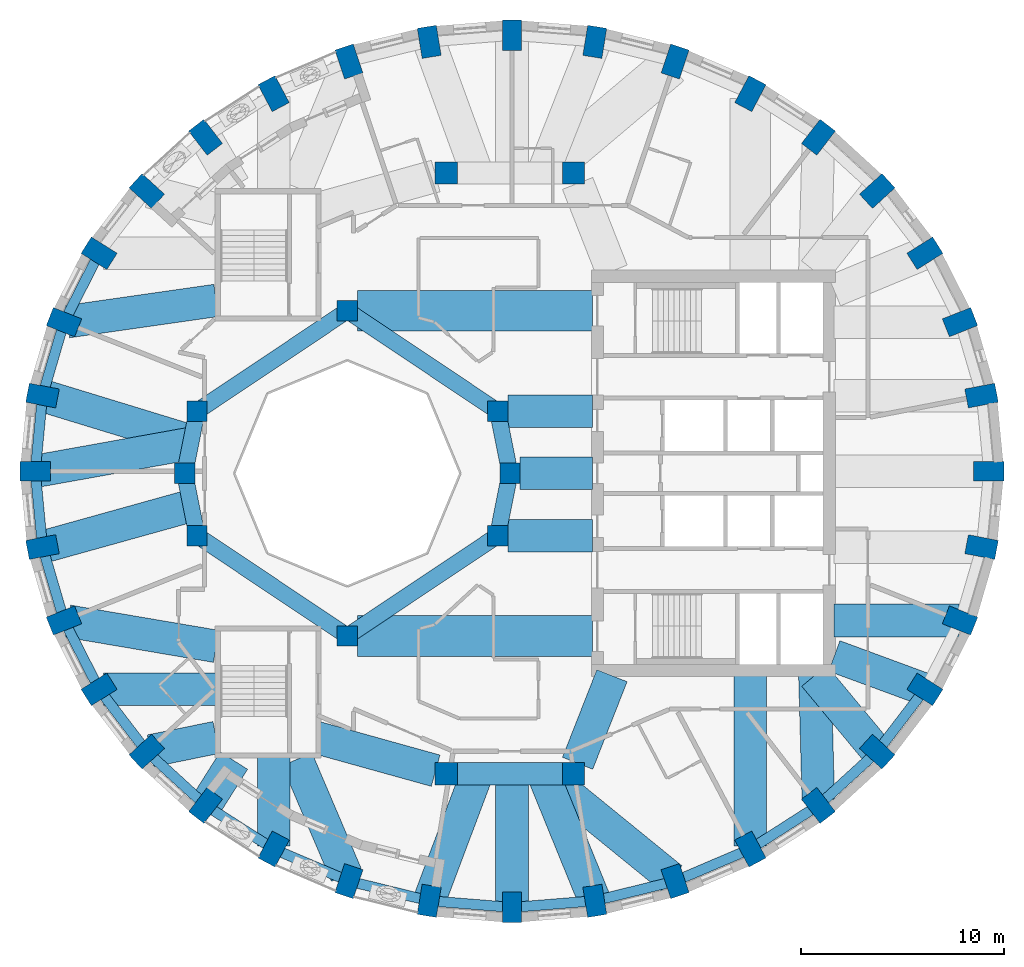
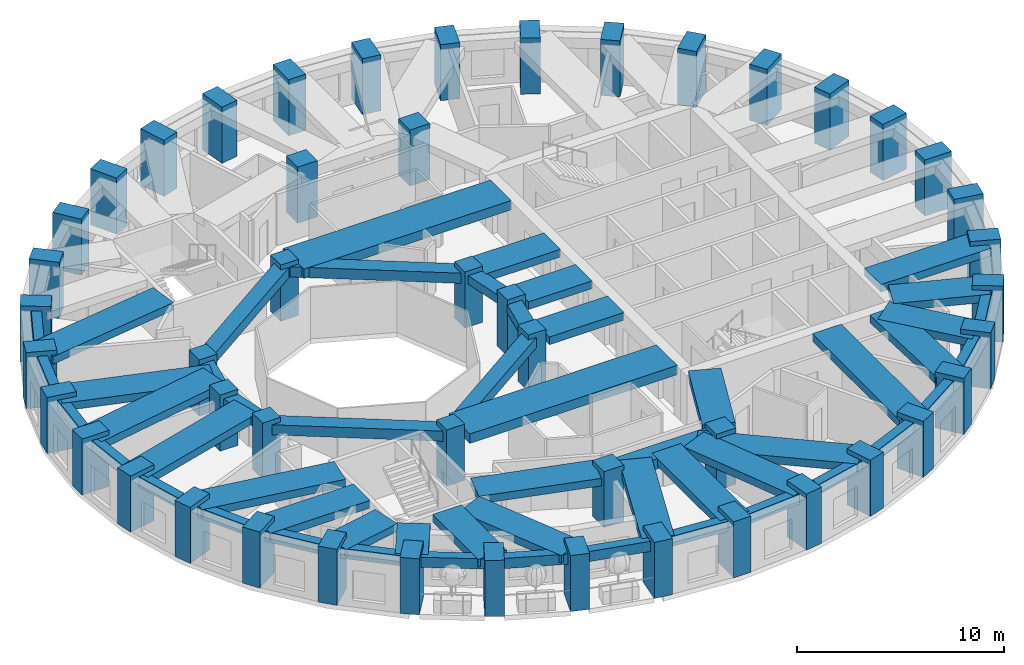
# One storey, part 1 of 12: 53 beams, 48 columns.
"""IFC4 building model written with IfcOpenShell, lengths in metres."""

import ifcopenshell
import ifcopenshell.guid

model = None  # the IFC model being written
_history = None  # IfcOwnerHistory: only IFC2X3 demands one
_inside = {}  # id of a spatial element -> (the spatial element, [elements in it])
_under = {}  # id of a project, library or spatial element -> (it, [spatial elements below it])
_declared = {}  # id of a project -> (the project, [libraries it declares])
_typed = {}  # id of a type object -> (the type object, [elements of that type])
_made_of = {}  # id of a material, layer set ... -> (it, [elements and type objects made of it])


def new_model(schema):
    """Start an empty IFC model of exactly this schema.

    Asked for "IFC4X3", IfcOpenShell would pick the latest addendum, in which some entities
    have other attributes; the version numbers below select the first issue.
    IFC2X3 requires an IfcOwnerHistory on every rooted entity: one is made here for all.
    """
    global model, _history
    if schema == "IFC4X3":
        model = ifcopenshell.file(schema_version=(4, 3, 0, 0))
    else:
        model = ifcopenshell.file(schema=schema)
    _inside.clear()
    _under.clear()
    _declared.clear()
    _typed.clear()
    _made_of.clear()
    _history = None
    if model.schema == "IFC2X3":
        org = make("IfcOrganization", Name="unknown")
        user = make(
            "IfcPersonAndOrganization",
            ThePerson=make("IfcPerson", FamilyName="unknown"),
            TheOrganization=org,
        )
        app = make(
            "IfcApplication",
            ApplicationDeveloper=org,
            Version="unknown",
            ApplicationFullName="unknown",
            ApplicationIdentifier="unknown",
        )
        _history = make(
            "IfcOwnerHistory",
            OwningUser=user,
            OwningApplication=app,
            ChangeAction="ADDED",
            CreationDate=0,
        )
    return model


def make(cls, **values):
    """One entity of the class cls with the attributes given. An attribute that is None is left unset."""
    return model.create_entity(
        cls, **{name: value for name, value in values.items() if value is not None}
    )


def rooted(cls, **values):
    """An entity with a GlobalId (a new one), such as an element, a storey or a relation."""
    return make(cls, GlobalId=ifcopenshell.guid.new(), OwnerHistory=_history, **values)


def si_unit(unit_type, name, prefix=None):
    """IfcSIUnit, for example si_unit("LENGTHUNIT", "METRE", prefix="MILLI")."""
    return make("IfcSIUnit", UnitType=unit_type, Prefix=prefix, Name=name)


def assignment(units):
    """IfcUnitAssignment: the units of a project."""
    return None if units is None else make("IfcUnitAssignment", Units=units)


def point(xyz):
    """IfcCartesianPoint."""
    return None if xyz is None else make("IfcCartesianPoint", Coordinates=xyz)


def direction(xyz):
    """IfcDirection."""
    return None if xyz is None else make("IfcDirection", DirectionRatios=xyz)


def frame(location, z_axis=None, x_axis=None):
    """IfcAxis2Placement3D, a coordinate frame: its origin and axes. An axis left out is left unset."""
    return make(
        "IfcAxis2Placement3D",
        Location=point(location),
        Axis=direction(z_axis),
        RefDirection=direction(x_axis),
    )


def frame_2d(location, x_axis=None):
    """IfcAxis2Placement2D, a coordinate frame in the plane: its origin and x axis."""
    return make(
        "IfcAxis2Placement2D", Location=point(location), RefDirection=direction(x_axis)
    )


def origin():
    """The frame at (0, 0, 0) with its axes left unset."""
    return frame((0.0, 0.0, 0.0))


def origin_2d():
    """The frame at (0, 0) in the plane with its x axis left unset."""
    return frame_2d((0.0, 0.0))


def place(relative_to, where):
    """IfcLocalPlacement: puts the frame where relative to a parent placement (None: the world)."""
    return make(
        "IfcLocalPlacement", PlacementRelTo=relative_to, RelativePlacement=where
    )


def context(
    kind, dimensions, precision=None, world=None, true_north=None, identifier=None
):
    """IfcGeometricRepresentationContext, for example the 3D "Model" context."""
    return make(
        "IfcGeometricRepresentationContext",
        ContextIdentifier=identifier,
        ContextType=kind,
        CoordinateSpaceDimension=dimensions,
        Precision=precision,
        WorldCoordinateSystem=world,
        TrueNorth=true_north,
    )


def subcontext(parent, identifier, kind, view, scale=None):
    """IfcGeometricRepresentationSubContext, for example "Body" below "Model"."""
    return make(
        "IfcGeometricRepresentationSubContext",
        ContextIdentifier=identifier,
        ContextType=kind,
        ParentContext=parent,
        TargetScale=scale,
        TargetView=view,
    )


def project(units=None, contexts=None):
    """IfcProject with its units and contexts."""
    return rooted(
        "IfcProject",
        Name="project",
        RepresentationContexts=contexts,
        UnitsInContext=assignment(units),
    )


def spatial(cls, under=None, at=None, **own):
    """A site, building, storey or space (cls), placed at a placement, below another one or the project."""
    s = rooted(cls, ObjectPlacement=at, **own)
    if under is not None:
        _under.setdefault(under.id(), (under, []))[1].append(s)
    return s


def profile(cls, at=None, kind="AREA", **sizes):
    """A parametric profile (cls). Its sizes go by their IFC names, for example OverallWidth=200.0."""
    return make(cls, ProfileType=kind, Position=at, **sizes)


def rectangle(**sizes):
    """IfcRectangleProfileDef."""
    return profile("IfcRectangleProfileDef", **sizes)


def extrude(swept, where, along, depth):
    """IfcExtrudedAreaSolid: the profile swept, set in the frame where, extruded along a direction by depth."""
    return make(
        "IfcExtrudedAreaSolid",
        SweptArea=swept,
        Position=where,
        ExtrudedDirection=direction(along),
        Depth=depth,
    )


def shape(context_of_items, identifier, shape_type, items):
    """IfcShapeRepresentation: the items that make up one representation, for example the "Body"."""
    return make(
        "IfcShapeRepresentation",
        ContextOfItems=context_of_items,
        RepresentationIdentifier=identifier,
        RepresentationType=shape_type,
        Items=items,
    )


def material(Name=None, Category=None):
    """IfcMaterial."""
    return make("IfcMaterial", Name=Name, Category=Category)


def material_profile(
    of_material, cross_section, Name=None, Category=None, Priority=None
):
    """IfcMaterialProfile: a cross section and its material."""
    return make(
        "IfcMaterialProfile",
        Name=Name,
        Material=of_material,
        Profile=cross_section,
        Priority=Priority,
        Category=Category,
    )


def profile_set(profiles, Name=None, composite=None):
    """IfcMaterialProfileSet."""
    return make(
        "IfcMaterialProfileSet",
        Name=Name,
        MaterialProfiles=profiles,
        CompositeProfile=composite,
    )


def made_of(thing, what):
    """Note that an element or type object is made of a material, layer set ...; save() writes the relation."""
    if what is not None:
        _made_of.setdefault(what.id(), (what, []))[1].append(thing)
    return thing


def type_object(cls, material=None, **own):
    """A type object (cls), such as IfcWallType, which elements share."""
    return made_of(rooted(cls, **own), material)


def element(
    cls,
    number,
    at=None,
    inside=None,
    cuts=None,
    type_object=None,
    material=None,
    context=None,
    identifier="Body",
    shape_type=None,
    held_by="IfcProductDefinitionShape",
    body=None,
    shapes=None,
    **own,
):
    """One element of the class cls, such as IfcWall. Its Tag is "e" and its number.

    at: its placement. inside: the storey or other place that contains it. cuts: it is an
    opening in that element (IfcRelVoidsElement). A single representation is given by context,
    identifier, shape_type and body (its items); several are given by shapes. held_by: the class
    of the entity that holds the representations. save() writes the other relations.
    """
    e = rooted(cls, Tag="e%d" % number, ObjectPlacement=at, **own)
    if body is not None:
        shapes = [shape(context, identifier, shape_type, body)]
    if shapes is not None:
        e.Representation = make(held_by, Representations=shapes)
    if inside is not None:
        _inside.setdefault(inside.id(), (inside, []))[1].append(e)
    if cuts is not None:
        rooted(
            "IfcRelVoidsElement", RelatingBuildingElement=cuts, RelatedOpeningElement=e
        )
    if type_object is not None:
        _typed.setdefault(type_object.id(), (type_object, []))[1].append(e)
    return made_of(e, material)


def aggregate(whole, parts):
    """IfcRelAggregates: a whole, such as a stair, and the parts it consists of."""
    return rooted("IfcRelAggregates", RelatingObject=whole, RelatedObjects=parts)


def save(model, path):
    """Write the relations noted so far, then the file.

    IfcRelAggregates (storeys below a building ...), IfcRelContainedInSpatialStructure (elements
    in a storey), IfcRelDefinesByType, IfcRelAssociatesMaterial and IfcRelDeclares: one each for
    every whole, place, type object, material and project.
    """
    for whole, parts in _under.values():
        aggregate(whole, parts)
    for where, things in _inside.values():
        rooted(
            "IfcRelContainedInSpatialStructure",
            RelatedElements=things,
            RelatingStructure=where,
        )
    for kind, things in _typed.values():
        rooted("IfcRelDefinesByType", RelatedObjects=things, RelatingType=kind)
    for what, things in _made_of.values():
        rooted("IfcRelAssociatesMaterial", RelatedObjects=things, RelatingMaterial=what)
    for by, libraries in _declared.values():
        rooted("IfcRelDeclares", RelatingContext=by, RelatedDefinitions=libraries)
    model.write(path)


model = new_model("IFC4")

# Units and contexts
model_context = context("Model", 3, precision=1e-05, world=origin(), true_north=direction((0.0, 1.0)))
body_context = subcontext(model_context, "Body", "Model", "MODEL_VIEW")
ifc_project = project(units=[si_unit("LENGTHUNIT", "METRE"), si_unit("AREAUNIT", "SQUARE_METRE"), si_unit("VOLUMEUNIT", "CUBIC_METRE"), si_unit("PLANEANGLEUNIT", "RADIAN"), si_unit("MASSUNIT", "GRAM", prefix="KILO")], contexts=[model_context])

# Site, building, storey
site_placement = place(None, origin())
site = spatial("IfcSite", under=ifc_project, at=site_placement, CompositionType="ELEMENT")
building_placement = place(site_placement, origin())
building = spatial("IfcBuilding", under=site, at=building_placement, Name="Taillehof Tower", CompositionType="ELEMENT")
storey_placement = place(building_placement, frame((0.0, 0.0, 168.199951171875)))
storey = spatial("IfcBuildingStorey", under=building, at=storey_placement, Name="L47", CompositionType="ELEMENT", Elevation=168.199951171875)

# Columns
ifc_material_1 = material(Name="Concrete C50/60", Category="concrete")
ifc_material_profile_1 = material_profile(ifc_material_1, rectangle(XDim=1.0, YDim=1.0, at=origin_2d()), Name="RC 1000x1000")
ifc_profile_set_1 = profile_set([ifc_material_profile_1], Name="Concrete C50/60")
column_type_1 = type_object("IfcColumnType", Name="Atrium ring column C50/60 1000x1000", PredefinedType="COLUMN", material=ifc_profile_set_1)
for number, where, z_axis, x_axis, name in (
    (1, (0.0, 0.0, 0.0), (0.0, 0.0, 1.0), (1.0, 0.0, 0.0), "Column AC01"),
    (2, (-0.60888671875, 3.0615234375, 0.0), (0.0, 0.0, 1.0), (1.0, 0.0, 0.0), "Column AC02"),
    (3, (-8.0, 8.0, 0.0), (0.0, 0.0, 1.0), (1.0, 0.0, 0.0), "Column AC05"),
    (4, (-15.39111328125, 3.0615234375, 0.0), (0.0, 0.0, 1.0), (1.0, 0.0, 0.0), "Column AC08"),
    (5, (-16.0, 0.0, 0.0), (0.0, 0.0, 1.0), (1.0, 0.0, 0.0), "Column AC09"),
    (6, (-15.39111328125, -3.0615234375, 0.0), (0.0, 0.0, 1.0), (1.0, 0.0, 0.0), "Column AC10"),
    (7, (-8.0, -8.0, 0.0), (0.0, 0.0, 1.0), (1.0, 0.0, 0.0), "Column AC13"),
    (8, (-0.60888671875, -3.0615234375, 0.0), (0.0, 0.0, 1.0), (1.0, 0.0, 0.0), "Column AC16"),
):
    element("IfcColumn", number, at=place(storey_placement, frame(where, z_axis=z_axis, x_axis=x_axis)), inside=storey, type_object=column_type_1, Name=name, PredefinedType="COLUMN", context=body_context, shape_type="SweptSolid", body=[
        extrude(rectangle(XDim=1.0, YDim=1.0, at=origin_2d()), origin(), (0.0, 0.0, 1.0), 3.300048828125),
    ])
ifc_material_2 = material(Name="Concrete C50/60", Category="concrete")
ifc_material_profile_2 = material_profile(ifc_material_2, rectangle(XDim=1.10009765625, YDim=1.10009765625, at=origin_2d()), Name="RC 1100x1100")
ifc_profile_set_2 = profile_set([ifc_material_profile_2], Name="Concrete C50/60")
column_type_2 = type_object("IfcColumnType", Name="Mid-ring column C50/60 1100x1100", PredefinedType="COLUMN", material=ifc_profile_set_2)
for number, where, z_axis, x_axis, name in (
    (9, (3.125732421875, 14.772216796875, 0.0), (0.0, 0.0, 1.0), (1.0, 0.0, 0.0), "Column MC05"),
    (10, (-3.125732421875, 14.772216796875, 0.0), (0.0, 0.0, 1.0), (1.0, 0.0, 0.0), "Column MC06"),
    (11, (-3.125732421875, -14.772216796875, 0.0), (0.0, 0.0, 1.0), (1.0, 0.0, 0.0), "Column MC14"),
    (12, (3.125732421875, -14.772216796875, 0.0), (0.0, 0.0, 1.0), (1.0, 0.0, 0.0), "Column MC15"),
):
    element("IfcColumn", number, at=place(storey_placement, frame(where, z_axis=z_axis, x_axis=x_axis)), inside=storey, type_object=column_type_2, Name=name, PredefinedType="COLUMN", context=body_context, shape_type="SweptSolid", body=[
        extrude(rectangle(XDim=1.10009765625, YDim=1.10009765625, at=origin_2d()), origin(), (0.0, 0.0, 1.0), 3.300048828125),
    ])
ifc_material_3 = material(Name="Concrete C60/75", Category="concrete")
ifc_material_profile_3 = material_profile(ifc_material_3, rectangle(XDim=1.5, YDim=0.949951171875, at=origin_2d()), Name="RC 1500x950")
ifc_profile_set_3 = profile_set([ifc_material_profile_3], Name="Concrete C60/75")
column_type_3 = type_object("IfcColumnType", Name="Ring column C60/75 1500x950", PredefinedType="COLUMN", material=ifc_profile_set_3)
for number, where, z_axis, x_axis, name in (
    (13, (23.550048828125, 0.10009765625, 0.0), (0.0, 0.0, 1.0), (1.0, 0.0, 0.0), "Ring column RC01"),
    (14, (23.19384765625, 3.82470703125, 0.0), (0.0, 0.0, 1.0), (0.98202380309, 0.188757119508, 0.0), "Ring column RC02"),
    (15, (22.1357421875, 7.436279296875, 0.0), (0.0, 0.0, 1.0), (0.929511471762, 0.368793199317, 0.0), "Ring column RC03"),
    (16, (20.408203125, 10.824951171875, 0.0), (0.0, 0.0, 1.0), (0.846334224225, 0.532652213837, 0.0), "Ring column RC04"),
    (17, (18.063720703125, 13.8876953125, 0.0), (0.0, 0.0, 1.0), (0.7378786352, 0.674933418727, 0.0), "Ring column RC05"),
    (18, (15.17333984375, 16.53173828125, 0.0), (0.0, 0.0, 1.0), (0.609970500644, 0.792424121506, 0.0), "Ring column RC06"),
    (19, (11.824951171875, 18.67626953125, 0.0), (0.0, 0.0, 1.0), (0.468042101717, 0.883706167807, 0.0), "Ring column RC07"),
    (20, (8.120361328125, 20.25634765625, 0.0), (0.0, 0.0, 1.0), (0.316702950283, 0.948524771043, 0.0), "Ring column RC08"),
    (21, (4.172119140625, 21.22412109375, 0.0), (0.0, 0.0, 1.0), (0.159679090777, 0.987168976401, 0.0), "Ring column RC09"),
    (22, (0.10009765625, 21.550048828125, 0.0), (0.0, 0.0, 1.0), (0.0, 1.0, 0.0), "Ring column RC10"),
    (23, (-3.97216796875, 21.22412109375, 0.0), (0.0, 0.0, 1.0), (-0.159679090777, 0.987168976401, 0.0), "Ring column RC11"),
    (24, (-7.92041015625, 20.25634765625, 0.0), (0.0, 0.0, 1.0), (-0.316702950283, 0.948524771043, 0.0), "Ring column RC12"),
    (25, (-11.625, 18.67626953125, 0.0), (0.0, 0.0, 1.0), (-0.468042101717, 0.883706167807, 0.0), "Ring column RC13"),
    (26, (-14.973388671875, 16.53173828125, 0.0), (0.0, 0.0, 1.0), (-0.609970500644, 0.792424121506, 0.0), "Ring column RC14"),
    (27, (-17.86376953125, 13.8876953125, 0.0), (0.0, 0.0, 1.0), (-0.7378786352, 0.674933418727, 0.0), "Ring column RC15"),
    (28, (-20.208251953125, 10.824951171875, 0.0), (0.0, 0.0, 1.0), (-0.846334224225, 0.532652213837, 0.0), "Ring column RC16"),
    (29, (-21.935791015625, 7.436279296875, 0.0), (0.0, 0.0, 1.0), (-0.929511471762, 0.368793199317, 0.0), "Ring column RC17"),
    (30, (-22.99365234375, 3.82470703125, 0.0), (0.0, 0.0, 1.0), (-0.98202380309, 0.188757119508, 0.0), "Ring column RC18"),
    (31, (-23.35009765625, 0.10009765625, 0.0), (0.0, 0.0, 1.0), (-1.0, 0.0, 0.0), "Ring column RC19"),
    (32, (-22.99365234375, -3.624755859375, 0.0), (0.0, 0.0, 1.0), (-0.98202380309, -0.188757119508, 0.0), "Ring column RC20"),
    (33, (-21.935791015625, -7.236328125, 0.0), (0.0, 0.0, 1.0), (-0.929511471762, -0.368793199317, 0.0), "Ring column RC21"),
    (34, (-20.208251953125, -10.625, 0.0), (0.0, 0.0, 1.0), (-0.846334224225, -0.532652213837, 0.0), "Ring column RC22"),
    (35, (-17.86376953125, -13.687744140625, 0.0), (0.0, 0.0, 1.0), (-0.7378786352, -0.674933418727, 0.0), "Ring column RC23"),
    (36, (-14.973388671875, -16.33154296875, 0.0), (0.0, 0.0, 1.0), (-0.609970500644, -0.792424121506, 0.0), "Ring column RC24"),
    (37, (-11.625, -18.476318359375, 0.0), (0.0, 0.0, 1.0), (-0.468042101717, -0.883706167807, 0.0), "Ring column RC25"),
    (38, (-7.92041015625, -20.056396484375, 0.0), (0.0, 0.0, 1.0), (-0.316702950283, -0.948524771043, 0.0), "Ring column RC26"),
    (39, (-3.97216796875, -21.024169921875, 0.0), (0.0, 0.0, 1.0), (-0.159679090777, -0.987168976401, 0.0), "Ring column RC27"),
    (40, (0.10009765625, -21.35009765625, 0.0), (0.0, 0.0, 1.0), (0.0, -1.0, 0.0), "Ring column RC28"),
    (41, (4.172119140625, -21.024169921875, 0.0), (0.0, 0.0, 1.0), (0.159679090777, -0.987168976401, 0.0), "Ring column RC29"),
    (42, (8.120361328125, -20.056396484375, 0.0), (0.0, 0.0, 1.0), (0.316702950283, -0.948524771043, 0.0), "Ring column RC30"),
    (43, (11.824951171875, -18.476318359375, 0.0), (0.0, 0.0, 1.0), (0.468042101717, -0.883706167807, 0.0), "Ring column RC31"),
    (44, (15.17333984375, -16.33154296875, 0.0), (0.0, 0.0, 1.0), (0.609970500644, -0.792424121506, 0.0), "Ring column RC32"),
    (45, (18.063720703125, -13.687744140625, 0.0), (0.0, 0.0, 1.0), (0.7378786352, -0.674933418727, 0.0), "Ring column RC33"),
    (46, (20.408203125, -10.625, 0.0), (0.0, 0.0, 1.0), (0.846334224225, -0.532652213837, 0.0), "Ring column RC34"),
    (47, (22.1357421875, -7.236328125, 0.0), (0.0, 0.0, 1.0), (0.929511471762, -0.368793199317, 0.0), "Ring column RC35"),
    (48, (23.19384765625, -3.624755859375, 0.0), (0.0, 0.0, 1.0), (0.98202380309, -0.188757119508, 0.0), "Ring column RC36"),
):
    element("IfcColumn", number, at=place(storey_placement, frame(where, z_axis=z_axis, x_axis=x_axis)), inside=storey, type_object=column_type_3, Name=name, PredefinedType="COLUMN", context=body_context, shape_type="SweptSolid", body=[
        extrude(rectangle(XDim=1.5, YDim=0.949951171875, at=origin_2d()), origin(), (0.0, 0.0, 1.0), 3.300048828125),
    ])

# Beams
ifc_material_4 = material(Name="Concrete C50/60", Category="concrete")
ifc_material_profile_4 = material_profile(ifc_material_4, rectangle(XDim=0.800048828125, YDim=0.5, at=origin_2d()), Name="RC 800x500")
ifc_profile_set_4 = profile_set([ifc_material_profile_4], Name="Concrete C50/60")
beam_type_1 = type_object("IfcBeamType", Name="Atrium ring beam C50/60 800x500", PredefinedType="BEAM", material=ifc_profile_set_4)
for number, where, z_axis, x_axis, name in (
    (49, (0.0, 0.0, 2.77001953125), (-0.195063155143, 0.980790683839, 0.0), (-0.980790683839, -0.195063155143, 0.0), "Atrium ring beam AB01"),
    (50, (-15.39111328125, 3.0615234375, 2.77001953125), (-0.195063155143, -0.980790683839, 0.0), (0.980790683839, -0.195063155143, 0.0), "Atrium ring beam AB04"),
    (51, (-16.0, 0.0, 2.77001953125), (0.195063155143, -0.980790683839, 0.0), (0.980790683839, 0.195063155143, 0.0), "Atrium ring beam AB05"),
    (52, (-0.60888671875, -3.0615234375, 2.77001953125), (0.195063155143, 0.980790683839, 0.0), (-0.980790683839, 0.195063155143, 0.0), "Atrium ring beam AB08"),
):
    element("IfcBeam", number, at=place(storey_placement, frame(where, z_axis=z_axis, x_axis=x_axis)), inside=storey, type_object=beam_type_1, Name=name, PredefinedType="BEAM", context=body_context, shape_type="SweptSolid", body=[
        extrude(rectangle(XDim=0.800048828125, YDim=0.5, at=origin_2d()), origin(), (0.0, 0.0, 1.0), 3.12158203125),
    ])
ifc_material_5 = material(Name="Concrete C50/60", Category="concrete")
ifc_material_profile_5 = material_profile(ifc_material_5, rectangle(XDim=0.800048828125, YDim=0.60009765625, at=origin_2d()), Name="RC 800x600")
ifc_profile_set_5 = profile_set([ifc_material_profile_5], Name="Concrete C50/60")
beam_type_2 = type_object("IfcBeamType", Name="Atrium ring beam C50/60 800x600", PredefinedType="BEAM", material=ifc_profile_set_5)
for number, where, z_axis, x_axis, name in (
    (53, (-0.60888671875, 3.0615234375, 2.719970703125), (-0.831475195687, 0.555561876804, 0.0), (-0.555561876804, -0.831475195687, 0.0), "Atrium ring beam AB02"),
    (54, (-8.0, 8.0, 2.719970703125), (-0.831475195687, -0.555561876804, 0.0), (0.555561876804, -0.831475195687, 0.0), "Atrium ring beam AB03"),
    (55, (-15.39111328125, -3.0615234375, 2.719970703125), (0.831475195687, -0.555561876804, 0.0), (0.555561876804, 0.831475195687, 0.0), "Atrium ring beam AB06"),
    (56, (-8.0, -8.0, 2.719970703125), (0.831475195687, 0.555561876804, 0.0), (-0.555561876804, 0.831475195687, 0.0), "Atrium ring beam AB07"),
):
    element("IfcBeam", number, at=place(storey_placement, frame(where, z_axis=z_axis, x_axis=x_axis)), inside=storey, type_object=beam_type_2, Name=name, PredefinedType="BEAM", context=body_context, shape_type="SweptSolid", body=[
        extrude(rectangle(XDim=0.800048828125, YDim=0.60009765625, at=origin_2d()), origin(), (0.0, 0.0, 1.0), 8.88916015625),
    ])
ifc_material_6 = material(Name="Concrete C50/60", Category="concrete")
ifc_material_profile_6 = material_profile(ifc_material_6, rectangle(XDim=1.10009765625, YDim=0.60009765625, at=origin_2d()), Name="RC 1100x600")
ifc_profile_set_6 = profile_set([ifc_material_profile_6], Name="Concrete C50/60")
beam_type_3 = type_object("IfcBeamType", Name="Mid-ring beam C50/60 1100x600", PredefinedType="BEAM", material=ifc_profile_set_6)
beam_1_placement = place(storey_placement, frame((-3.125732421875, -14.772216796875, 2.719970703125), z_axis=(1.0, 0.0, 0.0), x_axis=(0.0, 1.0, 0.0)))
element("IfcBeam", 57, at=beam_1_placement, inside=storey, type_object=beam_type_3, Name="Mid-ring beam MB02", PredefinedType="BEAM", context=body_context, shape_type="SweptSolid", body=[
    extrude(rectangle(XDim=1.10009765625, YDim=0.60009765625, at=origin_2d()), origin(), (0.0, 0.0, 1.0), 6.25146484375),
])
ifc_material_7 = material(Name="Concrete C50/60", Category="concrete")
ifc_material_profile_7 = material_profile(ifc_material_7, rectangle(XDim=1.60009765625, YDim=0.449951171875, at=origin_2d()), Name="RC 1600x450")
ifc_profile_set_7 = profile_set([ifc_material_profile_7], Name="Concrete C50/60")
beam_type_4 = type_object("IfcBeamType", Name="Radial band beam C50/60 1600x450", PredefinedType="BEAM", material=ifc_profile_set_7)
beam_2_placement = place(storey_placement, frame((-21.766845703125, 7.46044921875, 2.795166015625), z_axis=(0.989922388732, 0.141610961042, 0.0), x_axis=(-0.141610961042, 0.989922388732, 0.0)))
element("IfcBeam", 58, at=beam_2_placement, inside=storey, type_object=beam_type_4, Name="Radial band beam RB17", PredefinedType="BEAM", context=body_context, shape_type="SweptSolid", body=[
    extrude(rectangle(XDim=1.60009765625, YDim=0.449951171875, at=origin_2d()), origin(), (0.0, 0.0, 1.0), 7.390869140625),
])
beam_3_placement = place(storey_placement, frame((-22.99365234375, 3.82470703125, 2.795166015625), z_axis=(0.956324293447, -0.292307792854, 0.0), x_axis=(0.292307792854, 0.956324293447, 0.0)))
element("IfcBeam", 59, at=beam_3_placement, inside=storey, type_object=beam_type_4, Name="Radial band beam RB18", PredefinedType="BEAM", context=body_context, shape_type="SweptSolid", body=[
    extrude(rectangle(XDim=1.60009765625, YDim=0.449951171875, at=origin_2d()), origin(), (0.0, 0.0, 1.0), 7.643798828125),
])
beam_4_placement = place(storey_placement, frame((-23.35009765625, 0.10009765625, 2.795166015625), z_axis=(0.984286763882, 0.176577366745, 0.0), x_axis=(-0.176577366745, 0.984286763882, 0.0)))
element("IfcBeam", 60, at=beam_4_placement, inside=storey, type_object=beam_type_4, Name="Radial band beam RB19", PredefinedType="BEAM", context=body_context, shape_type="SweptSolid", body=[
    extrude(rectangle(XDim=1.60009765625, YDim=0.449951171875, at=origin_2d()), origin(), (0.0, 0.0, 1.0), 7.764892578125),
])
beam_5_placement = place(storey_placement, frame((-22.99365234375, -3.624755859375, 2.795166015625), z_axis=(0.96338688135, 0.268115118639, 0.0), x_axis=(-0.268115118639, 0.96338688135, 0.0)))
element("IfcBeam", 61, at=beam_5_placement, inside=storey, type_object=beam_type_4, Name="Radial band beam RB20", PredefinedType="BEAM", context=body_context, shape_type="SweptSolid", body=[
    extrude(rectangle(XDim=1.60009765625, YDim=0.449951171875, at=origin_2d()), origin(), (0.0, 0.0, 1.0), 7.587890625),
])
beam_6_placement = place(storey_placement, frame((-21.744140625, -7.268798828125, 2.795166015625), z_axis=(0.985864460395, -0.167544817079, 0.0), x_axis=(0.167544817079, 0.985864460395, 0.0)))
element("IfcBeam", 62, at=beam_6_placement, inside=storey, type_object=beam_type_4, Name="Radial band beam RB21", PredefinedType="BEAM", context=body_context, shape_type="SweptSolid", body=[
    extrude(rectangle(XDim=1.60009765625, YDim=0.449951171875, at=origin_2d()), origin(), (0.0, 0.0, 1.0), 7.39794921875),
])
beam_7_placement = place(storey_placement, frame((-19.9990234375, -10.625, 2.795166015625), z_axis=(1.0, 0.0, 0.0), x_axis=(0.0, 1.0, 0.0)))
element("IfcBeam", 63, at=beam_7_placement, inside=storey, type_object=beam_type_4, Name="Radial band beam RB22", PredefinedType="BEAM", context=body_context, shape_type="SweptSolid", body=[
    extrude(rectangle(XDim=1.60009765625, YDim=0.449951171875, at=origin_2d()), origin(), (0.0, 0.0, 1.0), 5.549072265625),
])
beam_8_placement = place(storey_placement, frame((-17.678955078125, -13.64990234375, 2.795166015625), z_axis=(0.979736748385, 0.200289550059, 0.0), x_axis=(-0.200289550059, 0.979736748385, 0.0)))
element("IfcBeam", 64, at=beam_8_placement, inside=storey, type_object=beam_type_4, Name="Radial band beam RB23", PredefinedType="BEAM", context=body_context, shape_type="SweptSolid", body=[
    extrude(rectangle(XDim=1.60009765625, YDim=0.449951171875, at=origin_2d()), origin(), (0.0, 0.0, 1.0), 3.294677734375),
])
beam_9_placement = place(storey_placement, frame((-14.973388671875, -16.33154296875, 2.795166015625), z_axis=(0.534207803896, 0.845353193794, 0.0), x_axis=(-0.845353193794, 0.534207803896, 0.0)))
element("IfcBeam", 65, at=beam_9_placement, inside=storey, type_object=beam_type_4, Name="Radial band beam RB24", PredefinedType="BEAM", context=body_context, shape_type="SweptSolid", body=[
    extrude(rectangle(XDim=1.60009765625, YDim=0.449951171875, at=origin_2d()), origin(), (0.0, 0.0, 1.0), 2.608154296875),
])
beam_10_placement = place(storey_placement, frame((-11.625, -18.33642578125, 2.795166015625), z_axis=(0.0, 1.0, 0.0), x_axis=(-1.0, 0.0, 0.0)))
element("IfcBeam", 66, at=beam_10_placement, inside=storey, type_object=beam_type_4, Name="Radial band beam RB25", PredefinedType="BEAM", context=body_context, shape_type="SweptSolid", body=[
    extrude(rectangle(XDim=1.60009765625, YDim=0.449951171875, at=origin_2d()), origin(), (0.0, 0.0, 1.0), 4.386474609375),
])
beam_11_placement = place(storey_placement, frame((-8.049072265625, -19.75390625, 2.795166015625), z_axis=(-0.391879389257, 0.9200166, 0.0), x_axis=(-0.9200166, -0.391879389257, 0.0)))
element("IfcBeam", 67, at=beam_11_placement, inside=storey, type_object=beam_type_4, Name="Radial band beam RB26", PredefinedType="BEAM", context=body_context, shape_type="SweptSolid", body=[
    extrude(rectangle(XDim=1.60009765625, YDim=0.449951171875, at=origin_2d()), origin(), (0.0, 0.0, 1.0), 6.18505859375),
])
beam_12_placement = place(storey_placement, frame((-3.97216796875, -21.024169921875, 2.795166015625), z_axis=(0.351379850477, 0.936232984186, 0.0), x_axis=(-0.936232984186, 0.351379850477, 0.0)))
element("IfcBeam", 68, at=beam_12_placement, inside=storey, type_object=beam_type_4, Name="Radial band beam RB27", PredefinedType="BEAM", context=body_context, shape_type="SweptSolid", body=[
    extrude(rectangle(XDim=1.60009765625, YDim=0.449951171875, at=origin_2d()), origin(), (0.0, 0.0, 1.0), 6.677734375),
])
beam_13_placement = place(storey_placement, frame((0.10009765625, -21.35009765625, 2.795166015625), z_axis=(0.0, 1.0, 0.0), x_axis=(-1.0, 0.0, 0.0)))
element("IfcBeam", 69, at=beam_13_placement, inside=storey, type_object=beam_type_4, Name="Radial band beam RB28", PredefinedType="BEAM", context=body_context, shape_type="SweptSolid", body=[
    extrude(rectangle(XDim=1.60009765625, YDim=0.449951171875, at=origin_2d()), origin(), (0.0, 0.0, 1.0), 6.577880859375),
])
beam_14_placement = place(storey_placement, frame((4.172119140625, -21.024169921875, 2.795166015625), z_axis=(-0.377207279938, 0.926128861424, 0.0), x_axis=(-0.926128861424, -0.377207279938, 0.0)))
element("IfcBeam", 70, at=beam_14_placement, inside=storey, type_object=beam_type_4, Name="Radial band beam RB29", PredefinedType="BEAM", context=body_context, shape_type="SweptSolid", body=[
    extrude(rectangle(XDim=1.60009765625, YDim=0.449951171875, at=origin_2d()), origin(), (0.0, 0.0, 1.0), 6.750732421875),
])
beam_15_placement = place(storey_placement, frame((7.95556640625, -19.92236328125, 2.795166015625), z_axis=(-0.775687012842, 0.631117784655, 0.0), x_axis=(-0.631117784655, -0.775687012842, 0.0)))
element("IfcBeam", 71, at=beam_15_placement, inside=storey, type_object=beam_type_4, Name="Radial band beam RB30", PredefinedType="BEAM", context=body_context, shape_type="SweptSolid", body=[
    extrude(rectangle(XDim=1.60009765625, YDim=0.449951171875, at=origin_2d()), origin(), (0.0, 0.0, 1.0), 8.048583984375),
])
beam_16_placement = place(storey_placement, frame((11.824951171875, -18.33642578125, 2.795166015625), z_axis=(0.0, 1.0, 0.0), x_axis=(-1.0, 0.0, 0.0)))
element("IfcBeam", 72, at=beam_16_placement, inside=storey, type_object=beam_type_4, Name="Radial band beam RB31", PredefinedType="BEAM", context=body_context, shape_type="SweptSolid", body=[
    extrude(rectangle(XDim=1.60009765625, YDim=0.449951171875, at=origin_2d()), origin(), (0.0, 0.0, 1.0), 8.386474609375),
])
beam_17_placement = place(storey_placement, frame((15.166015625, -16.060546875, 2.795166015625), z_axis=(-0.027397917621, 0.999624606595, 0.0), x_axis=(-0.999624606595, -0.027397917621, 0.0)))
element("IfcBeam", 73, at=beam_17_placement, inside=storey, type_object=beam_type_4, Name="Radial band beam RB32", PredefinedType="BEAM", context=body_context, shape_type="SweptSolid", body=[
    extrude(rectangle(XDim=1.60009765625, YDim=0.449951171875, at=origin_2d()), origin(), (0.0, 0.0, 1.0), 6.11279296875),
])
beam_18_placement = place(storey_placement, frame((18.063720703125, -13.687744140625, 2.795166015625), z_axis=(-0.639018777093, 0.769191135234, 0.0), x_axis=(-0.769191135234, -0.639018777093, 0.0)))
element("IfcBeam", 74, at=beam_18_placement, inside=storey, type_object=beam_type_4, Name="Radial band beam RB33", PredefinedType="BEAM", context=body_context, shape_type="SweptSolid", body=[
    extrude(rectangle(XDim=1.60009765625, YDim=0.449951171875, at=origin_2d()), origin(), (0.0, 0.0, 1.0), 4.844482421875),
])
beam_19_placement = place(storey_placement, frame((20.408203125, -10.625, 2.795166015625), z_axis=(-0.938275503033, 0.345888826661, 0.0), x_axis=(-0.345888826661, -0.938275503033, 0.0)))
element("IfcBeam", 75, at=beam_19_placement, inside=storey, type_object=beam_type_4, Name="Radial band beam RB34", PredefinedType="BEAM", context=body_context, shape_type="SweptSolid", body=[
    extrude(rectangle(XDim=1.60009765625, YDim=0.449951171875, at=origin_2d()), origin(), (0.0, 0.0, 1.0), 4.748046875),
])
beam_20_placement = place(storey_placement, frame((22.08642578125, -7.236328125, 2.795166015625), z_axis=(-1.0, 0.0, 0.0), x_axis=(0.0, -1.0, 0.0)))
element("IfcBeam", 76, at=beam_20_placement, inside=storey, type_object=beam_type_4, Name="Radial band beam RB35", PredefinedType="BEAM", context=body_context, shape_type="SweptSolid", body=[
    extrude(rectangle(XDim=1.60009765625, YDim=0.449951171875, at=origin_2d()), origin(), (0.0, 0.0, 1.0), 6.136474609375),
])
beam_21_placement = place(storey_placement, frame((0.5, 0.0, 2.795166015625), z_axis=(1.0, 0.0, 0.0), x_axis=(0.0, 1.0, 0.0)))
element("IfcBeam", 77, at=beam_21_placement, inside=storey, type_object=beam_type_4, Name="Inner band beam IB101", PredefinedType="BEAM", context=body_context, shape_type="SweptSolid", body=[
    extrude(rectangle(XDim=1.60009765625, YDim=0.449951171875, at=origin_2d()), origin(), (0.0, 0.0, 1.0), 3.550048828125),
])
for number, where, z_axis, x_axis, name in (
    (78, (-0.10888671875, 3.0615234375, 2.795166015625), (1.0, 0.0, 0.0), (0.0, 1.0, 0.0), "Inner band beam IB102"),
    (79, (-0.10888671875, -3.0615234375, 2.795166015625), (1.0, 0.0, 0.0), (0.0, 1.0, 0.0), "Inner band beam IB116"),
):
    element("IfcBeam", number, at=place(storey_placement, frame(where, z_axis=z_axis, x_axis=x_axis)), inside=storey, type_object=beam_type_4, Name=name, PredefinedType="BEAM", context=body_context, shape_type="SweptSolid", body=[
        extrude(rectangle(XDim=1.60009765625, YDim=0.449951171875, at=origin_2d()), origin(), (0.0, 0.0, 1.0), 4.158935546875),
    ])
beam_22_placement = place(storey_placement, frame((-3.655517578125, -14.624755859375, 2.795166015625), z_axis=(-0.963459369536, 0.267854518821, 0.0), x_axis=(-0.267854518821, -0.963459369536, 0.0)))
element("IfcBeam", 80, at=beam_22_placement, inside=storey, type_object=beam_type_4, Name="Inner band beam IB214", PredefinedType="BEAM", context=body_context, shape_type="SweptSolid", body=[
    extrude(rectangle(XDim=1.60009765625, YDim=0.449951171875, at=origin_2d()), origin(), (0.0, 0.0, 1.0), 6.096923828125),
])
beam_23_placement = place(storey_placement, frame((3.32666015625, -14.26025390625, 2.795166015625), z_axis=(0.365588707223, 0.930776502255, 0.0), x_axis=(-0.930776502255, 0.365588707223, 0.0)))
element("IfcBeam", 81, at=beam_23_placement, inside=storey, type_object=beam_type_4, Name="Inner band beam IB215", PredefinedType="BEAM", context=body_context, shape_type="SweptSolid", body=[
    extrude(rectangle(XDim=1.60009765625, YDim=0.449951171875, at=origin_2d()), origin(), (0.0, 0.0, 1.0), 4.627197265625),
])
ifc_material_8 = material(Name="Concrete C50/60", Category="concrete")
ifc_material_profile_8 = material_profile(ifc_material_8, rectangle(XDim=2.0, YDim=0.550048828125, at=origin_2d()), Name="RC 2000x550")
ifc_profile_set_8 = profile_set([ifc_material_profile_8], Name="Concrete C50/60")
beam_type_5 = type_object("IfcBeamType", Name="Radial band beam C50/60 2000x550", PredefinedType="BEAM", material=ifc_profile_set_8)
for number, where, z_axis, x_axis, name in (
    (82, (-7.5, 8.0, 2.7451171875), (1.0, 0.0, 0.0), (0.0, 1.0, 0.0), "Inner band beam IB105"),
    (83, (-7.5, -8.0, 2.7451171875), (1.0, 0.0, 0.0), (0.0, 1.0, 0.0), "Inner band beam IB113"),
):
    element("IfcBeam", number, at=place(storey_placement, frame(where, z_axis=z_axis, x_axis=x_axis)), inside=storey, type_object=beam_type_5, Name=name, PredefinedType="BEAM", context=body_context, shape_type="SweptSolid", body=[
        extrude(rectangle(XDim=2.0, YDim=0.550048828125, at=origin_2d()), origin(), (0.0, 0.0, 1.0), 11.550048828125),
    ])
ifc_material_9 = material(Name="Concrete C50/60", Category="concrete")
ifc_material_profile_9 = material_profile(ifc_material_9, rectangle(XDim=0.5, YDim=0.60009765625, at=origin_2d()), Name="RC 500x600")
ifc_profile_set_9 = profile_set([ifc_material_profile_9], Name="Concrete C50/60")
beam_type_6 = type_object("IfcBeamType", Name="Spandrel beam C50/60 500x600", PredefinedType="SPANDREL", material=ifc_profile_set_9)
beam_24_placement = place(storey_placement, frame((-20.208251953125, 10.824951171875, 2.719970703125), z_axis=(-0.454183451696, -0.890908183937, 0.0), x_axis=(0.890908183937, -0.454183451696, 0.0)))
element("IfcBeam", 84, at=beam_24_placement, inside=storey, type_object=beam_type_6, Name="Spandrel beam SB16", PredefinedType="SPANDREL", context=body_context, shape_type="SweptSolid", body=[
    extrude(rectangle(XDim=0.5, YDim=0.60009765625, at=origin_2d()), origin(), (0.0, 0.0, 1.0), 3.8037109375),
])
beam_25_placement = place(storey_placement, frame((-21.935791015625, 7.436279296875, 2.719970703125), z_axis=(-0.281098416478, -0.959678946447, 0.0), x_axis=(0.959678946447, -0.281098416478, 0.0)))
element("IfcBeam", 85, at=beam_25_placement, inside=storey, type_object=beam_type_6, Name="Spandrel beam SB17", PredefinedType="SPANDREL", context=body_context, shape_type="SweptSolid", body=[
    extrude(rectangle(XDim=0.5, YDim=0.60009765625, at=origin_2d()), origin(), (0.0, 0.0, 1.0), 3.763427734375),
])
beam_26_placement = place(storey_placement, frame((-22.99365234375, 3.82470703125, 2.719970703125), z_axis=(-0.095264805358, -0.995451966124, 0.0), x_axis=(0.995451966124, -0.095264805358, 0.0)))
element("IfcBeam", 86, at=beam_26_placement, inside=storey, type_object=beam_type_6, Name="Spandrel beam SB18", PredefinedType="SPANDREL", context=body_context, shape_type="SweptSolid", body=[
    extrude(rectangle(XDim=0.5, YDim=0.60009765625, at=origin_2d()), origin(), (0.0, 0.0, 1.0), 3.74169921875),
])
beam_27_placement = place(storey_placement, frame((-23.35009765625, 0.10009765625, 2.719970703125), z_axis=(0.095258618013, -0.995452558234, 0.0), x_axis=(0.995452558234, 0.095258618013, 0.0)))
element("IfcBeam", 87, at=beam_27_placement, inside=storey, type_object=beam_type_6, Name="Spandrel beam SB19", PredefinedType="SPANDREL", context=body_context, shape_type="SweptSolid", body=[
    extrude(rectangle(XDim=0.5, YDim=0.60009765625, at=origin_2d()), origin(), (0.0, 0.0, 1.0), 3.741943359375),
])
beam_28_placement = place(storey_placement, frame((-22.99365234375, -3.624755859375, 2.719970703125), z_axis=(0.281098416478, -0.959678946447, 0.0), x_axis=(0.959678946447, 0.281098416478, 0.0)))
element("IfcBeam", 88, at=beam_28_placement, inside=storey, type_object=beam_type_6, Name="Spandrel beam SB20", PredefinedType="SPANDREL", context=body_context, shape_type="SweptSolid", body=[
    extrude(rectangle(XDim=0.5, YDim=0.60009765625, at=origin_2d()), origin(), (0.0, 0.0, 1.0), 3.763427734375),
])
beam_29_placement = place(storey_placement, frame((-21.935791015625, -7.236328125, 2.719970703125), z_axis=(0.454183451696, -0.890908183937, 0.0), x_axis=(0.890908183937, 0.454183451696, 0.0)))
element("IfcBeam", 89, at=beam_29_placement, inside=storey, type_object=beam_type_6, Name="Spandrel beam SB21", PredefinedType="SPANDREL", context=body_context, shape_type="SweptSolid", body=[
    extrude(rectangle(XDim=0.5, YDim=0.60009765625, at=origin_2d()), origin(), (0.0, 0.0, 1.0), 3.8037109375),
])
beam_30_placement = place(storey_placement, frame((-20.208251953125, -10.625, 2.719970703125), z_axis=(0.60784004271, -0.794059495553, 0.0), x_axis=(0.794059495553, 0.60784004271, 0.0)))
element("IfcBeam", 90, at=beam_30_placement, inside=storey, type_object=beam_type_6, Name="Spandrel beam SB22", PredefinedType="SPANDREL", context=body_context, shape_type="SweptSolid", body=[
    extrude(rectangle(XDim=0.5, YDim=0.60009765625, at=origin_2d()), origin(), (0.0, 0.0, 1.0), 3.857177734375),
])
beam_31_placement = place(storey_placement, frame((-17.86376953125, -13.687744140625, 2.719970703125), z_axis=(0.737880696592, -0.674931165081, 0.0), x_axis=(0.674931165081, 0.737880696592, 0.0)))
element("IfcBeam", 91, at=beam_31_placement, inside=storey, type_object=beam_type_6, Name="Spandrel beam SB23", PredefinedType="SPANDREL", context=body_context, shape_type="SweptSolid", body=[
    extrude(rectangle(XDim=0.5, YDim=0.60009765625, at=origin_2d()), origin(), (0.0, 0.0, 1.0), 3.917236328125),
])
beam_32_placement = place(storey_placement, frame((-14.973388671875, -16.33154296875, 2.719970703125), z_axis=(0.842065054946, -0.539375975771, 0.0), x_axis=(0.539375975771, 0.842065054946, 0.0)))
element("IfcBeam", 92, at=beam_32_placement, inside=storey, type_object=beam_type_6, Name="Spandrel beam SB24", PredefinedType="SPANDREL", context=body_context, shape_type="SweptSolid", body=[
    extrude(rectangle(XDim=0.5, YDim=0.60009765625, at=origin_2d()), origin(), (0.0, 0.0, 1.0), 3.976318359375),
])
beam_33_placement = place(storey_placement, frame((-11.625, -18.476318359375, 2.719970703125), z_axis=(0.919827173659, -0.392323808351, 0.0), x_axis=(0.392323808351, 0.919827173659, 0.0)))
element("IfcBeam", 93, at=beam_33_placement, inside=storey, type_object=beam_type_6, Name="Spandrel beam SB25", PredefinedType="SPANDREL", context=body_context, shape_type="SweptSolid", body=[
    extrude(rectangle(XDim=0.5, YDim=0.60009765625, at=origin_2d()), origin(), (0.0, 0.0, 1.0), 4.027587890625),
])
beam_34_placement = place(storey_placement, frame((-7.92041015625, -20.056396484375, 2.719970703125), z_axis=(0.971248584585, -0.238067610023, 0.0), x_axis=(0.238067610023, 0.971248584585, 0.0)))
element("IfcBeam", 94, at=beam_34_placement, inside=storey, type_object=beam_type_6, Name="Spandrel beam SB26", PredefinedType="SPANDREL", context=body_context, shape_type="SweptSolid", body=[
    extrude(rectangle(XDim=0.5, YDim=0.60009765625, at=origin_2d()), origin(), (0.0, 0.0, 1.0), 4.065185546875),
])
beam_35_placement = place(storey_placement, frame((-3.97216796875, -21.024169921875, 2.719970703125), z_axis=(0.996812427616, -0.079780850771, 0.0), x_axis=(0.079780850771, 0.996812427616, 0.0)))
element("IfcBeam", 95, at=beam_35_placement, inside=storey, type_object=beam_type_6, Name="Spandrel beam SB27", PredefinedType="SPANDREL", context=body_context, shape_type="SweptSolid", body=[
    extrude(rectangle(XDim=0.5, YDim=0.60009765625, at=origin_2d()), origin(), (0.0, 0.0, 1.0), 4.085205078125),
])
beam_36_placement = place(storey_placement, frame((0.10009765625, -21.35009765625, 2.719970703125), z_axis=(0.996812047205, 0.079785603634, 0.0), x_axis=(-0.079785603634, 0.996812047205, 0.0)))
element("IfcBeam", 96, at=beam_36_placement, inside=storey, type_object=beam_type_6, Name="Spandrel beam SB28", PredefinedType="SPANDREL", context=body_context, shape_type="SweptSolid", body=[
    extrude(rectangle(XDim=0.5, YDim=0.60009765625, at=origin_2d()), origin(), (0.0, 0.0, 1.0), 4.0849609375),
])
beam_37_placement = place(storey_placement, frame((4.172119140625, -21.024169921875, 2.719970703125), z_axis=(0.971248584585, 0.238067610023, 0.0), x_axis=(-0.238067610023, 0.971248584585, 0.0)))
element("IfcBeam", 97, at=beam_37_placement, inside=storey, type_object=beam_type_6, Name="Spandrel beam SB29", PredefinedType="SPANDREL", context=body_context, shape_type="SweptSolid", body=[
    extrude(rectangle(XDim=0.5, YDim=0.60009765625, at=origin_2d()), origin(), (0.0, 0.0, 1.0), 4.065185546875),
])
beam_38_placement = place(storey_placement, frame((8.120361328125, -20.056396484375, 2.719970703125), z_axis=(0.919827173659, 0.392323808351, 0.0), x_axis=(-0.392323808351, 0.919827173659, 0.0)))
element("IfcBeam", 98, at=beam_38_placement, inside=storey, type_object=beam_type_6, Name="Spandrel beam SB30", PredefinedType="SPANDREL", context=body_context, shape_type="SweptSolid", body=[
    extrude(rectangle(XDim=0.5, YDim=0.60009765625, at=origin_2d()), origin(), (0.0, 0.0, 1.0), 4.027587890625),
])
beam_39_placement = place(storey_placement, frame((11.824951171875, -18.476318359375, 2.719970703125), z_axis=(0.842065054946, 0.539375975771, 0.0), x_axis=(-0.539375975771, 0.842065054946, 0.0)))
element("IfcBeam", 99, at=beam_39_placement, inside=storey, type_object=beam_type_6, Name="Spandrel beam SB31", PredefinedType="SPANDREL", context=body_context, shape_type="SweptSolid", body=[
    extrude(rectangle(XDim=0.5, YDim=0.60009765625, at=origin_2d()), origin(), (0.0, 0.0, 1.0), 3.976318359375),
])
beam_40_placement = place(storey_placement, frame((15.17333984375, -16.33154296875, 2.719970703125), z_axis=(0.737880696592, 0.674931165081, 0.0), x_axis=(-0.674931165081, 0.737880696592, 0.0)))
element("IfcBeam", 100, at=beam_40_placement, inside=storey, type_object=beam_type_6, Name="Spandrel beam SB32", PredefinedType="SPANDREL", context=body_context, shape_type="SweptSolid", body=[
    extrude(rectangle(XDim=0.5, YDim=0.60009765625, at=origin_2d()), origin(), (0.0, 0.0, 1.0), 3.917236328125),
])
beam_41_placement = place(storey_placement, frame((18.063720703125, -13.687744140625, 2.719970703125), z_axis=(0.60784004271, 0.794059495553, 0.0), x_axis=(-0.794059495553, 0.60784004271, 0.0)))
element("IfcBeam", 101, at=beam_41_placement, inside=storey, type_object=beam_type_6, Name="Spandrel beam SB33", PredefinedType="SPANDREL", context=body_context, shape_type="SweptSolid", body=[
    extrude(rectangle(XDim=0.5, YDim=0.60009765625, at=origin_2d()), origin(), (0.0, 0.0, 1.0), 3.857177734375),
])

save(model, "model.ifc")
